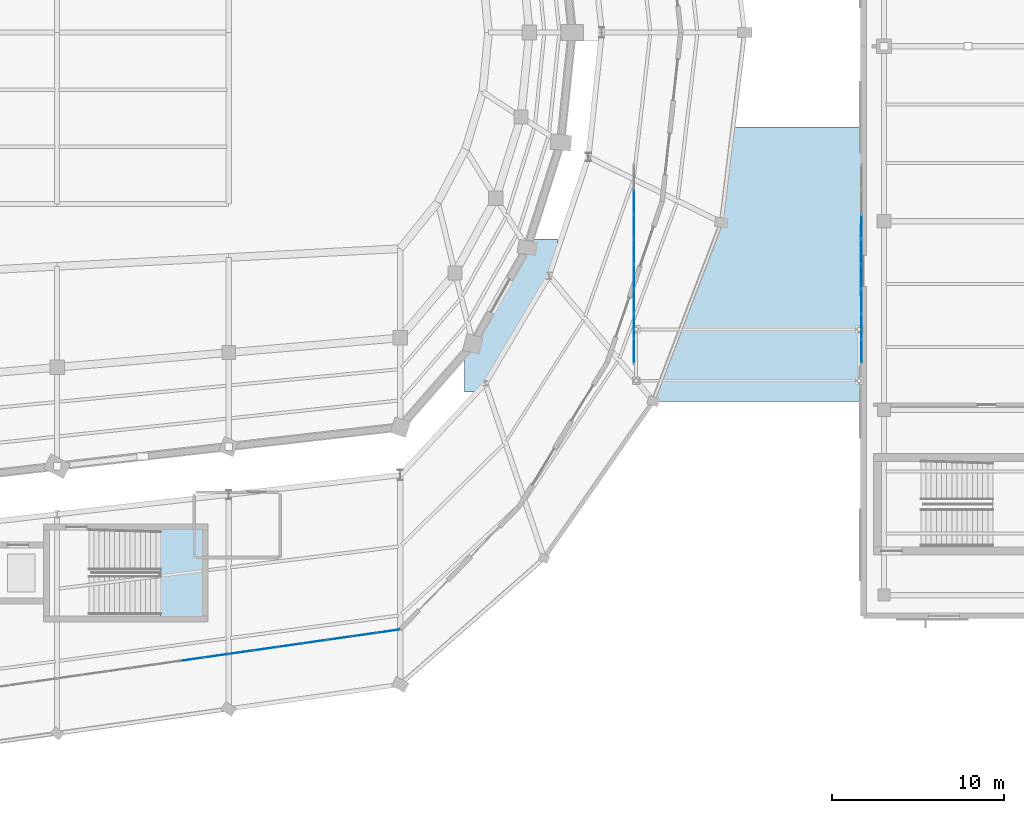
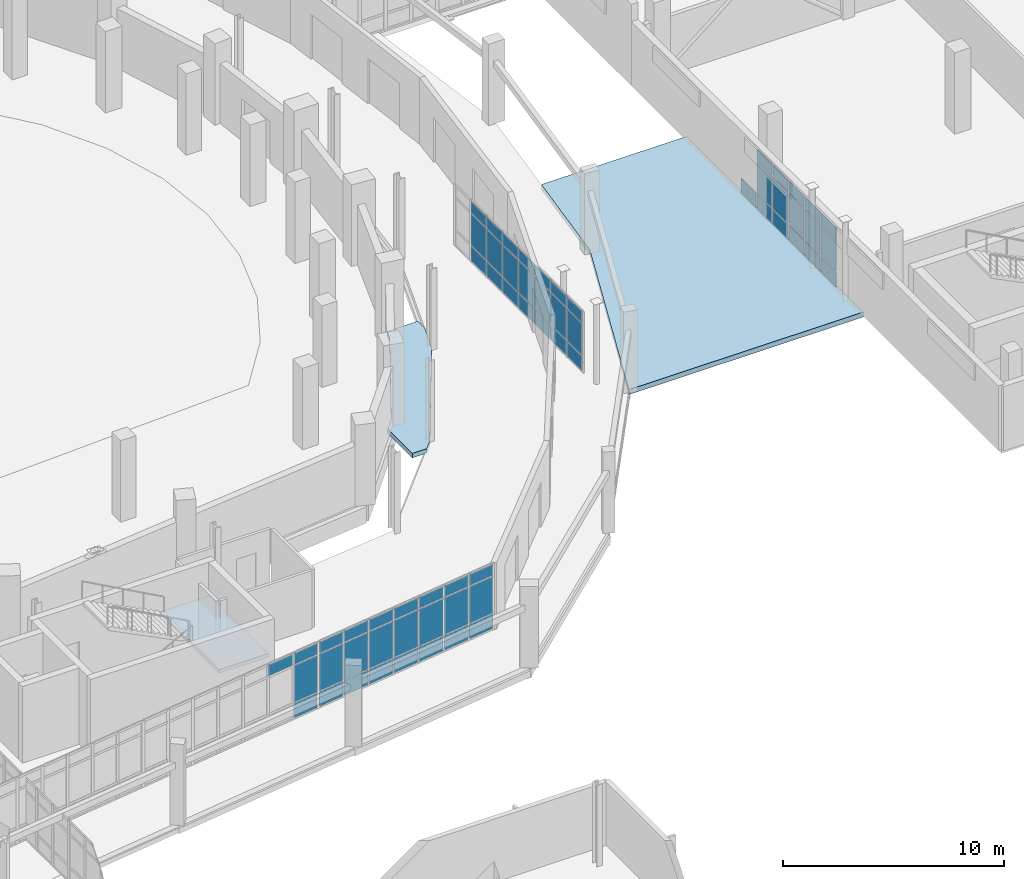
# One storey, part 91 of 122: 62 plates, 3 slabs, 5 elements without a shape of their own.
"""IFC4 building model written with IfcOpenShell, lengths in metres."""

import ifcopenshell
import ifcopenshell.guid

model = None  # the IFC model being written
_history = None  # IfcOwnerHistory: only IFC2X3 demands one
_inside = {}  # id of a spatial element -> (the spatial element, [elements in it])
_under = {}  # id of a project, library or spatial element -> (it, [spatial elements below it])
_declared = {}  # id of a project -> (the project, [libraries it declares])
_typed = {}  # id of a type object -> (the type object, [elements of that type])
_made_of = {}  # id of a material, layer set ... -> (it, [elements and type objects made of it])


def new_model(schema):
    """Start an empty IFC model of exactly this schema.

    Asked for "IFC4X3", IfcOpenShell would pick the latest addendum, in which some entities
    have other attributes; the version numbers below select the first issue.
    IFC2X3 requires an IfcOwnerHistory on every rooted entity: one is made here for all.
    """
    global model, _history
    if schema == "IFC4X3":
        model = ifcopenshell.file(schema_version=(4, 3, 0, 0))
    else:
        model = ifcopenshell.file(schema=schema)
    _inside.clear()
    _under.clear()
    _declared.clear()
    _typed.clear()
    _made_of.clear()
    _history = None
    if model.schema == "IFC2X3":
        org = make("IfcOrganization", Name="unknown")
        user = make(
            "IfcPersonAndOrganization",
            ThePerson=make("IfcPerson", FamilyName="unknown"),
            TheOrganization=org,
        )
        app = make(
            "IfcApplication",
            ApplicationDeveloper=org,
            Version="unknown",
            ApplicationFullName="unknown",
            ApplicationIdentifier="unknown",
        )
        _history = make(
            "IfcOwnerHistory",
            OwningUser=user,
            OwningApplication=app,
            ChangeAction="ADDED",
            CreationDate=0,
        )
    return model


def make(cls, **values):
    """One entity of the class cls with the attributes given. An attribute that is None is left unset."""
    return model.create_entity(
        cls, **{name: value for name, value in values.items() if value is not None}
    )


def rooted(cls, **values):
    """An entity with a GlobalId (a new one), such as an element, a storey or a relation."""
    return make(cls, GlobalId=ifcopenshell.guid.new(), OwnerHistory=_history, **values)


def si_unit(unit_type, name, prefix=None):
    """IfcSIUnit, for example si_unit("LENGTHUNIT", "METRE", prefix="MILLI")."""
    return make("IfcSIUnit", UnitType=unit_type, Prefix=prefix, Name=name)


def assignment(units):
    """IfcUnitAssignment: the units of a project."""
    return None if units is None else make("IfcUnitAssignment", Units=units)


def point(xyz):
    """IfcCartesianPoint."""
    return None if xyz is None else make("IfcCartesianPoint", Coordinates=xyz)


def direction(xyz):
    """IfcDirection."""
    return None if xyz is None else make("IfcDirection", DirectionRatios=xyz)


def frame(location, z_axis=None, x_axis=None):
    """IfcAxis2Placement3D, a coordinate frame: its origin and axes. An axis left out is left unset."""
    return make(
        "IfcAxis2Placement3D",
        Location=point(location),
        Axis=direction(z_axis),
        RefDirection=direction(x_axis),
    )


def frame_2d(location, x_axis=None):
    """IfcAxis2Placement2D, a coordinate frame in the plane: its origin and x axis."""
    return make(
        "IfcAxis2Placement2D", Location=point(location), RefDirection=direction(x_axis)
    )


def origin():
    """The frame at (0, 0, 0) with its axes left unset."""
    return frame((0.0, 0.0, 0.0))


def origin_2d():
    """The frame at (0, 0) in the plane with its x axis left unset."""
    return frame_2d((0.0, 0.0))


def place(relative_to, where):
    """IfcLocalPlacement: puts the frame where relative to a parent placement (None: the world)."""
    return make(
        "IfcLocalPlacement", PlacementRelTo=relative_to, RelativePlacement=where
    )


def context(
    kind, dimensions, precision=None, world=None, true_north=None, identifier=None
):
    """IfcGeometricRepresentationContext, for example the 3D "Model" context."""
    return make(
        "IfcGeometricRepresentationContext",
        ContextIdentifier=identifier,
        ContextType=kind,
        CoordinateSpaceDimension=dimensions,
        Precision=precision,
        WorldCoordinateSystem=world,
        TrueNorth=true_north,
    )


def subcontext(parent, identifier, kind, view, scale=None):
    """IfcGeometricRepresentationSubContext, for example "Body" below "Model"."""
    return make(
        "IfcGeometricRepresentationSubContext",
        ContextIdentifier=identifier,
        ContextType=kind,
        ParentContext=parent,
        TargetScale=scale,
        TargetView=view,
    )


def project(units=None, contexts=None):
    """IfcProject with its units and contexts."""
    return rooted(
        "IfcProject",
        Name="project",
        RepresentationContexts=contexts,
        UnitsInContext=assignment(units),
    )


def spatial(cls, under=None, at=None, **own):
    """A site, building, storey or space (cls), placed at a placement, below another one or the project."""
    s = rooted(cls, ObjectPlacement=at, **own)
    if under is not None:
        _under.setdefault(under.id(), (under, []))[1].append(s)
    return s


def polyline(points):
    """IfcPolyline through the points."""
    return make("IfcPolyline", Points=[point(p) for p in points])


def profile(cls, at=None, kind="AREA", **sizes):
    """A parametric profile (cls). Its sizes go by their IFC names, for example OverallWidth=200.0."""
    return make(cls, ProfileType=kind, Position=at, **sizes)


def rectangle(**sizes):
    """IfcRectangleProfileDef."""
    return profile("IfcRectangleProfileDef", **sizes)


def outline(outer, holes=None, kind="AREA"):
    """IfcArbitraryClosedProfileDef: a profile drawn as a closed curve; with holes, ...WithVoids."""
    if holes is None:
        return make("IfcArbitraryClosedProfileDef", ProfileType=kind, OuterCurve=outer)
    return make(
        "IfcArbitraryProfileDefWithVoids",
        ProfileType=kind,
        OuterCurve=outer,
        InnerCurves=holes,
    )


def extrude(swept, where, along, depth):
    """IfcExtrudedAreaSolid: the profile swept, set in the frame where, extruded along a direction by depth."""
    return make(
        "IfcExtrudedAreaSolid",
        SweptArea=swept,
        Position=where,
        ExtrudedDirection=direction(along),
        Depth=depth,
    )


def shape(context_of_items, identifier, shape_type, items):
    """IfcShapeRepresentation: the items that make up one representation, for example the "Body"."""
    return make(
        "IfcShapeRepresentation",
        ContextOfItems=context_of_items,
        RepresentationIdentifier=identifier,
        RepresentationType=shape_type,
        Items=items,
    )


def material(Name=None, Category=None):
    """IfcMaterial."""
    return make("IfcMaterial", Name=Name, Category=Category)


def layer(
    of_material, thickness, ventilated=None, Name=None, Category=None, Priority=None
):
    """IfcMaterialLayer: one layer of a wall or slab, of a material (None: an air gap)."""
    return make(
        "IfcMaterialLayer",
        Material=of_material,
        LayerThickness=thickness,
        IsVentilated=ventilated,
        Name=Name,
        Category=Category,
        Priority=Priority,
    )


def layer_set(layers, Name=None):
    """IfcMaterialLayerSet."""
    return make("IfcMaterialLayerSet", MaterialLayers=layers, LayerSetName=Name)


def made_of(thing, what):
    """Note that an element or type object is made of a material, layer set ...; save() writes the relation."""
    if what is not None:
        _made_of.setdefault(what.id(), (what, []))[1].append(thing)
    return thing


def type_object(cls, material=None, **own):
    """A type object (cls), such as IfcWallType, which elements share."""
    return made_of(rooted(cls, **own), material)


def element(
    cls,
    number,
    at=None,
    inside=None,
    cuts=None,
    type_object=None,
    material=None,
    context=None,
    identifier="Body",
    shape_type=None,
    held_by="IfcProductDefinitionShape",
    body=None,
    shapes=None,
    **own,
):
    """One element of the class cls, such as IfcWall. Its Tag is "e" and its number.

    at: its placement. inside: the storey or other place that contains it. cuts: it is an
    opening in that element (IfcRelVoidsElement). A single representation is given by context,
    identifier, shape_type and body (its items); several are given by shapes. held_by: the class
    of the entity that holds the representations. save() writes the other relations.
    """
    e = rooted(cls, Tag="e%d" % number, ObjectPlacement=at, **own)
    if body is not None:
        shapes = [shape(context, identifier, shape_type, body)]
    if shapes is not None:
        e.Representation = make(held_by, Representations=shapes)
    if inside is not None:
        _inside.setdefault(inside.id(), (inside, []))[1].append(e)
    if cuts is not None:
        rooted(
            "IfcRelVoidsElement", RelatingBuildingElement=cuts, RelatedOpeningElement=e
        )
    if type_object is not None:
        _typed.setdefault(type_object.id(), (type_object, []))[1].append(e)
    return made_of(e, material)


def aggregate(whole, parts):
    """IfcRelAggregates: a whole, such as a stair, and the parts it consists of."""
    return rooted("IfcRelAggregates", RelatingObject=whole, RelatedObjects=parts)


def save(model, path):
    """Write the relations noted so far, then the file.

    IfcRelAggregates (storeys below a building ...), IfcRelContainedInSpatialStructure (elements
    in a storey), IfcRelDefinesByType, IfcRelAssociatesMaterial and IfcRelDeclares: one each for
    every whole, place, type object, material and project.
    """
    for whole, parts in _under.values():
        aggregate(whole, parts)
    for where, things in _inside.values():
        rooted(
            "IfcRelContainedInSpatialStructure",
            RelatedElements=things,
            RelatingStructure=where,
        )
    for kind, things in _typed.values():
        rooted("IfcRelDefinesByType", RelatedObjects=things, RelatingType=kind)
    for what, things in _made_of.values():
        rooted("IfcRelAssociatesMaterial", RelatedObjects=things, RelatingMaterial=what)
    for by, libraries in _declared.values():
        rooted("IfcRelDeclares", RelatingContext=by, RelatedDefinitions=libraries)
    model.write(path)


model = new_model("IFC4")

# Units and contexts
model_context = context("Model", 3, precision=1e-05, world=origin(), true_north=direction((0.0, 1.0)))
body_context = subcontext(model_context, "Body", "Model", "MODEL_VIEW")
ifc_project = project(units=[si_unit("LENGTHUNIT", "METRE"), si_unit("AREAUNIT", "SQUARE_METRE"), si_unit("VOLUMEUNIT", "CUBIC_METRE"), si_unit("PLANEANGLEUNIT", "RADIAN"), si_unit("MASSUNIT", "GRAM", prefix="KILO")], contexts=[model_context])

# Site, building, storey
site_placement = place(None, origin())
site = spatial("IfcSite", under=ifc_project, at=site_placement, CompositionType="ELEMENT")
building_placement = place(site_placement, origin())
building = spatial("IfcBuilding", under=site, at=building_placement, Name="Sohan Crest Arena", CompositionType="ELEMENT")
storey_placement = place(building_placement, origin())
storey = spatial("IfcBuildingStorey", under=building, at=storey_placement, Name="L00", CompositionType="ELEMENT", Elevation=0.0)

# Curtain wall, plates
ifc_material_1 = material(Name="Thermally broken anodised aluminium", Category="aluminium")
ifc_layer_1 = layer(ifc_material_1, 0.179931640625, Name="Thermally broken anodised aluminium")
ifc_layer_set_1 = layer_set([ifc_layer_1], Name="Thermally broken anodised aluminium")
curtain_wall_type_1 = type_object("IfcCurtainWallType", Name="ARC-CW01", PredefinedType="NOTDEFINED", material=ifc_layer_set_1)
curtain_wall_1_placement = place(storey_placement, origin())
curtain_wall_1 = element("IfcCurtainWall", 1, at=curtain_wall_1_placement, inside=storey, type_object=curtain_wall_type_1, Name="Unitised curtain wall CW-012", PredefinedType="NOTDEFINED")
ifc_material_2 = material(Name="Low-E double-glazed insulated glass", Category="glass")
ifc_layer_2 = layer(ifc_material_2, 0.028076171875, Name="Low-E double-glazed insulated glass")
ifc_layer_set_2 = layer_set([ifc_layer_2], Name="Low-E double-glazed insulated glass")
plate_type = type_object("IfcPlateType", Name="ARC-CNP01", PredefinedType="CURTAIN_PANEL", material=ifc_layer_set_2)
plate_1_placement = place(storey_placement, frame((155.857177734375, 41.465087890625, 3.009765625), z_axis=(0.0, 0.0, 1.0), x_axis=(0.989957411768, 0.141365918403, 0.0)))
plate_1 = element("IfcPlate", 2, at=plate_1_placement, type_object=plate_type, Name="CW-012 panel 6.3", PredefinedType="CURTAIN_PANEL", context=body_context, shape_type="SweptSolid", body=[
    extrude(rectangle(XDim=1.383056640625, YDim=0.028076171875, at=origin_2d()), origin(), (0.0, 0.0, 1.0), 0.610107421875),
])
plate_2_placement = place(storey_placement, frame((157.270751953125, 41.6669921875, 0.06005859375), z_axis=(0.0, 0.0, 1.0), x_axis=(0.989957411768, 0.141365918403, 0.0)))
plate_2 = element("IfcPlate", 3, at=plate_2_placement, type_object=plate_type, Name="CW-012 panel 7.1", PredefinedType="CURTAIN_PANEL", context=body_context, shape_type="SweptSolid", body=[
    extrude(rectangle(XDim=1.35302734375, YDim=0.028076171875, at=origin_2d()), origin(), (0.0, 0.0, 1.0), 0.81005859375),
])
plate_3_placement = place(storey_placement, frame((157.270751953125, 41.6669921875, 0.929931640625), z_axis=(0.0, 0.0, 1.0), x_axis=(0.989957411768, 0.141365918403, 0.0)))
plate_3 = element("IfcPlate", 4, at=plate_3_placement, type_object=plate_type, Name="CW-012 panel 7.2", PredefinedType="CURTAIN_PANEL", context=body_context, shape_type="SweptSolid", body=[
    extrude(rectangle(XDim=1.35302734375, YDim=0.028076171875, at=origin_2d()), origin(), (0.0, 0.0, 1.0), 2.02001953125),
])
plate_4_placement = place(storey_placement, frame((157.270751953125, 41.6669921875, 3.009765625), z_axis=(0.0, 0.0, 1.0), x_axis=(0.989957411768, 0.141365918403, 0.0)))
plate_4 = element("IfcPlate", 5, at=plate_4_placement, type_object=plate_type, Name="CW-012 panel 7.3", PredefinedType="CURTAIN_PANEL", context=body_context, shape_type="SweptSolid", body=[
    extrude(rectangle(XDim=1.35302734375, YDim=0.028076171875, at=origin_2d()), origin(), (0.0, 0.0, 1.0), 0.610107421875),
])
aggregate(curtain_wall_1, [plate_1, plate_2, plate_3, plate_4])

curtain_wall_2_placement = place(storey_placement, origin())
curtain_wall_2 = element("IfcCurtainWall", 6, at=curtain_wall_2_placement, inside=storey, type_object=curtain_wall_type_1, Name="Unitised curtain wall CW-013", PredefinedType="NOTDEFINED")
plate_5_placement = place(storey_placement, frame((158.729248046875, 41.875244140625, 0.06005859375), z_axis=(0.0, 0.0, 1.0), x_axis=(0.989943553128, 0.141462933734, 0.0)))
plate_5 = element("IfcPlate", 7, at=plate_5_placement, type_object=plate_type, Name="CW-013 panel 1.1", PredefinedType="CURTAIN_PANEL", context=body_context, shape_type="SweptSolid", body=[
    extrude(rectangle(XDim=1.35302734375, YDim=0.028076171875, at=origin_2d()), origin(), (0.0, 0.0, 1.0), 0.81005859375),
])
plate_6_placement = place(storey_placement, frame((158.729248046875, 41.875244140625, 0.929931640625), z_axis=(0.0, 0.0, 1.0), x_axis=(0.989943553128, 0.141462933734, 0.0)))
plate_6 = element("IfcPlate", 8, at=plate_6_placement, type_object=plate_type, Name="CW-013 panel 1.2", PredefinedType="CURTAIN_PANEL", context=body_context, shape_type="SweptSolid", body=[
    extrude(rectangle(XDim=1.35302734375, YDim=0.028076171875, at=origin_2d()), origin(), (0.0, 0.0, 1.0), 2.02001953125),
])
plate_7_placement = place(storey_placement, frame((158.729248046875, 41.875244140625, 3.009765625), z_axis=(0.0, 0.0, 1.0), x_axis=(0.989943553128, 0.141462933734, 0.0)))
plate_7 = element("IfcPlate", 9, at=plate_7_placement, type_object=plate_type, Name="CW-013 panel 1.3", PredefinedType="CURTAIN_PANEL", context=body_context, shape_type="SweptSolid", body=[
    extrude(rectangle(XDim=1.35302734375, YDim=0.028076171875, at=origin_2d()), origin(), (0.0, 0.0, 1.0), 0.610107421875),
])
plate_8_placement = place(storey_placement, frame((160.142822265625, 42.0771484375, 0.06005859375), z_axis=(0.0, 0.0, 1.0), x_axis=(0.989943553128, 0.141462933734, 0.0)))
plate_8 = element("IfcPlate", 10, at=plate_8_placement, type_object=plate_type, Name="CW-013 panel 2.1", PredefinedType="CURTAIN_PANEL", context=body_context, shape_type="SweptSolid", body=[
    extrude(rectangle(XDim=1.383056640625, YDim=0.028076171875, at=origin_2d()), origin(), (0.0, 0.0, 1.0), 0.81005859375),
])
plate_9_placement = place(storey_placement, frame((160.142822265625, 42.0771484375, 0.929931640625), z_axis=(0.0, 0.0, 1.0), x_axis=(0.989943553128, 0.141462933734, 0.0)))
plate_9 = element("IfcPlate", 11, at=plate_9_placement, type_object=plate_type, Name="CW-013 panel 2.2", PredefinedType="CURTAIN_PANEL", context=body_context, shape_type="SweptSolid", body=[
    extrude(rectangle(XDim=1.383056640625, YDim=0.028076171875, at=origin_2d()), origin(), (0.0, 0.0, 1.0), 2.02001953125),
])
plate_10_placement = place(storey_placement, frame((160.142822265625, 42.0771484375, 3.009765625), z_axis=(0.0, 0.0, 1.0), x_axis=(0.989943553128, 0.141462933734, 0.0)))
plate_10 = element("IfcPlate", 12, at=plate_10_placement, type_object=plate_type, Name="CW-013 panel 2.3", PredefinedType="CURTAIN_PANEL", context=body_context, shape_type="SweptSolid", body=[
    extrude(rectangle(XDim=1.383056640625, YDim=0.028076171875, at=origin_2d()), origin(), (0.0, 0.0, 1.0), 0.610107421875),
])
plate_11_placement = place(storey_placement, frame((161.571533203125, 42.28125, 0.06005859375), z_axis=(0.0, 0.0, 1.0), x_axis=(0.989943553128, 0.141462933734, 0.0)))
plate_11 = element("IfcPlate", 13, at=plate_11_placement, type_object=plate_type, Name="CW-013 panel 3.1", PredefinedType="CURTAIN_PANEL", context=body_context, shape_type="SweptSolid", body=[
    extrude(rectangle(XDim=1.383056640625, YDim=0.028076171875, at=origin_2d()), origin(), (0.0, 0.0, 1.0), 0.81005859375),
])
plate_12_placement = place(storey_placement, frame((161.571533203125, 42.28125, 0.929931640625), z_axis=(0.0, 0.0, 1.0), x_axis=(0.989943553128, 0.141462933734, 0.0)))
plate_12 = element("IfcPlate", 14, at=plate_12_placement, type_object=plate_type, Name="CW-013 panel 3.2", PredefinedType="CURTAIN_PANEL", context=body_context, shape_type="SweptSolid", body=[
    extrude(rectangle(XDim=1.383056640625, YDim=0.028076171875, at=origin_2d()), origin(), (0.0, 0.0, 1.0), 2.02001953125),
])
plate_13_placement = place(storey_placement, frame((161.571533203125, 42.28125, 3.009765625), z_axis=(0.0, 0.0, 1.0), x_axis=(0.989943553128, 0.141462933734, 0.0)))
plate_13 = element("IfcPlate", 15, at=plate_13_placement, type_object=plate_type, Name="CW-013 panel 3.3", PredefinedType="CURTAIN_PANEL", context=body_context, shape_type="SweptSolid", body=[
    extrude(rectangle(XDim=1.383056640625, YDim=0.028076171875, at=origin_2d()), origin(), (0.0, 0.0, 1.0), 0.610107421875),
])
plate_14_placement = place(storey_placement, frame((163.0, 42.485595703125, 0.06005859375), z_axis=(0.0, 0.0, 1.0), x_axis=(0.989943553128, 0.141462933734, 0.0)))
plate_14 = element("IfcPlate", 16, at=plate_14_placement, type_object=plate_type, Name="CW-013 panel 4.1", PredefinedType="CURTAIN_PANEL", context=body_context, shape_type="SweptSolid", body=[
    extrude(rectangle(XDim=1.383056640625, YDim=0.028076171875, at=origin_2d()), origin(), (0.0, 0.0, 1.0), 0.81005859375),
])
plate_15_placement = place(storey_placement, frame((163.0, 42.485595703125, 0.929931640625), z_axis=(0.0, 0.0, 1.0), x_axis=(0.989943553128, 0.141462933734, 0.0)))
plate_15 = element("IfcPlate", 17, at=plate_15_placement, type_object=plate_type, Name="CW-013 panel 4.2", PredefinedType="CURTAIN_PANEL", context=body_context, shape_type="SweptSolid", body=[
    extrude(rectangle(XDim=1.383056640625, YDim=0.028076171875, at=origin_2d()), origin(), (0.0, 0.0, 1.0), 2.02001953125),
])
plate_16_placement = place(storey_placement, frame((163.0, 42.485595703125, 3.009765625), z_axis=(0.0, 0.0, 1.0), x_axis=(0.989943553128, 0.141462933734, 0.0)))
plate_16 = element("IfcPlate", 18, at=plate_16_placement, type_object=plate_type, Name="CW-013 panel 4.3", PredefinedType="CURTAIN_PANEL", context=body_context, shape_type="SweptSolid", body=[
    extrude(rectangle(XDim=1.383056640625, YDim=0.028076171875, at=origin_2d()), origin(), (0.0, 0.0, 1.0), 0.610107421875),
])
plate_17_placement = place(storey_placement, frame((164.428466796875, 42.689697265625, 0.06005859375), z_axis=(0.0, 0.0, 1.0), x_axis=(0.989943553128, 0.141462933734, 0.0)))
plate_17 = element("IfcPlate", 19, at=plate_17_placement, type_object=plate_type, Name="CW-013 panel 5.1", PredefinedType="CURTAIN_PANEL", context=body_context, shape_type="SweptSolid", body=[
    extrude(rectangle(XDim=1.383056640625, YDim=0.028076171875, at=origin_2d()), origin(), (0.0, 0.0, 1.0), 0.81005859375),
])
plate_18_placement = place(storey_placement, frame((164.428466796875, 42.689697265625, 0.929931640625), z_axis=(0.0, 0.0, 1.0), x_axis=(0.989943553128, 0.141462933734, 0.0)))
plate_18 = element("IfcPlate", 20, at=plate_18_placement, type_object=plate_type, Name="CW-013 panel 5.2", PredefinedType="CURTAIN_PANEL", context=body_context, shape_type="SweptSolid", body=[
    extrude(rectangle(XDim=1.383056640625, YDim=0.028076171875, at=origin_2d()), origin(), (0.0, 0.0, 1.0), 2.02001953125),
])
plate_19_placement = place(storey_placement, frame((164.428466796875, 42.689697265625, 3.009765625), z_axis=(0.0, 0.0, 1.0), x_axis=(0.989943553128, 0.141462933734, 0.0)))
plate_19 = element("IfcPlate", 21, at=plate_19_placement, type_object=plate_type, Name="CW-013 panel 5.3", PredefinedType="CURTAIN_PANEL", context=body_context, shape_type="SweptSolid", body=[
    extrude(rectangle(XDim=1.383056640625, YDim=0.028076171875, at=origin_2d()), origin(), (0.0, 0.0, 1.0), 0.610107421875),
])
plate_20_placement = place(storey_placement, frame((165.857177734375, 42.893798828125, 0.06005859375), z_axis=(0.0, 0.0, 1.0), x_axis=(0.989943553128, 0.141462933734, 0.0)))
plate_20 = element("IfcPlate", 22, at=plate_20_placement, type_object=plate_type, Name="CW-013 panel 6.1", PredefinedType="CURTAIN_PANEL", context=body_context, shape_type="SweptSolid", body=[
    extrude(rectangle(XDim=1.383056640625, YDim=0.028076171875, at=origin_2d()), origin(), (0.0, 0.0, 1.0), 0.81005859375),
])
plate_21_placement = place(storey_placement, frame((165.857177734375, 42.893798828125, 0.929931640625), z_axis=(0.0, 0.0, 1.0), x_axis=(0.989943553128, 0.141462933734, 0.0)))
plate_21 = element("IfcPlate", 23, at=plate_21_placement, type_object=plate_type, Name="CW-013 panel 6.2", PredefinedType="CURTAIN_PANEL", context=body_context, shape_type="SweptSolid", body=[
    extrude(rectangle(XDim=1.383056640625, YDim=0.028076171875, at=origin_2d()), origin(), (0.0, 0.0, 1.0), 2.02001953125),
])
plate_22_placement = place(storey_placement, frame((165.857177734375, 42.893798828125, 3.009765625), z_axis=(0.0, 0.0, 1.0), x_axis=(0.989943553128, 0.141462933734, 0.0)))
plate_22 = element("IfcPlate", 24, at=plate_22_placement, type_object=plate_type, Name="CW-013 panel 6.3", PredefinedType="CURTAIN_PANEL", context=body_context, shape_type="SweptSolid", body=[
    extrude(rectangle(XDim=1.383056640625, YDim=0.028076171875, at=origin_2d()), origin(), (0.0, 0.0, 1.0), 0.610107421875),
])
plate_23_placement = place(storey_placement, frame((167.270751953125, 43.095703125, 0.06005859375), z_axis=(0.0, 0.0, 1.0), x_axis=(0.989943553128, 0.141462933734, 0.0)))
plate_23 = element("IfcPlate", 25, at=plate_23_placement, type_object=plate_type, Name="CW-013 panel 7.1", PredefinedType="CURTAIN_PANEL", context=body_context, shape_type="SweptSolid", body=[
    extrude(rectangle(XDim=1.35302734375, YDim=0.028076171875, at=origin_2d()), origin(), (0.0, 0.0, 1.0), 0.81005859375),
])
plate_24_placement = place(storey_placement, frame((167.270751953125, 43.095703125, 0.929931640625), z_axis=(0.0, 0.0, 1.0), x_axis=(0.989943553128, 0.141462933734, 0.0)))
plate_24 = element("IfcPlate", 26, at=plate_24_placement, type_object=plate_type, Name="CW-013 panel 7.2", PredefinedType="CURTAIN_PANEL", context=body_context, shape_type="SweptSolid", body=[
    extrude(rectangle(XDim=1.35302734375, YDim=0.028076171875, at=origin_2d()), origin(), (0.0, 0.0, 1.0), 2.02001953125),
])
plate_25_placement = place(storey_placement, frame((167.270751953125, 43.095703125, 3.009765625), z_axis=(0.0, 0.0, 1.0), x_axis=(0.989943553128, 0.141462933734, 0.0)))
plate_25 = element("IfcPlate", 27, at=plate_25_placement, type_object=plate_type, Name="CW-013 panel 7.3", PredefinedType="CURTAIN_PANEL", context=body_context, shape_type="SweptSolid", body=[
    extrude(rectangle(XDim=1.35302734375, YDim=0.028076171875, at=origin_2d()), origin(), (0.0, 0.0, 1.0), 0.610107421875),
])
aggregate(curtain_wall_2, [plate_5, plate_6, plate_7, plate_8, plate_9, plate_10, plate_11, plate_12, plate_13, plate_14, plate_15, plate_16, plate_17, plate_18, plate_19, plate_20, plate_21, plate_22, plate_23, plate_24, plate_25])

ifc_layer_3 = layer(ifc_material_1, 0.18994140625, Name="Thermally broken anodised aluminium")
ifc_layer_set_3 = layer_set([ifc_layer_3], Name="Thermally broken anodised aluminium")
curtain_wall_type_2 = type_object("IfcCurtainWallType", Name="ARC-CW05", PredefinedType="NOTDEFINED", material=ifc_layer_set_3)
curtain_wall_3_placement = place(storey_placement, origin())
curtain_wall_3 = element("IfcCurtainWall", 28, at=curtain_wall_3_placement, inside=storey, type_object=curtain_wall_type_2, Name="Unitised curtain wall CW-239", PredefinedType="NOTDEFINED")
plate_26_placement = place(storey_placement, frame((181.6201171875, 59.441162109375, 0.06005859375), z_axis=(0.0, 0.0, 1.0), x_axis=(0.0, 1.0, 0.0)))
plate_26 = element("IfcPlate", 29, at=plate_26_placement, type_object=plate_type, Name="CW-239 panel 1.1", PredefinedType="CURTAIN_PANEL", context=body_context, shape_type="SweptSolid", body=[
    extrude(rectangle(XDim=1.3525390625, YDim=0.028076171875, at=origin_2d()), origin(), (0.0, 0.0, 1.0), 0.81005859375),
])
plate_27_placement = place(storey_placement, frame((181.6201171875, 59.441162109375, 0.93017578125), z_axis=(0.0, 0.0, 1.0), x_axis=(0.0, 1.0, 0.0)))
plate_27 = element("IfcPlate", 30, at=plate_27_placement, type_object=plate_type, Name="CW-239 panel 1.2", PredefinedType="CURTAIN_PANEL", context=body_context, shape_type="SweptSolid", body=[
    extrude(rectangle(XDim=1.3525390625, YDim=0.028076171875, at=origin_2d()), origin(), (0.0, 0.0, 1.0), 1.739990234375),
])
plate_28_placement = place(storey_placement, frame((181.6201171875, 59.441162109375, 2.72998046875), z_axis=(0.0, 0.0, 1.0), x_axis=(0.0, 1.0, 0.0)))
plate_28 = element("IfcPlate", 31, at=plate_28_placement, type_object=plate_type, Name="CW-239 panel 1.3", PredefinedType="CURTAIN_PANEL", context=body_context, shape_type="SweptSolid", body=[
    extrude(rectangle(XDim=1.3525390625, YDim=0.028076171875, at=origin_2d()), origin(), (0.0, 0.0, 1.0), 0.610107421875),
])
plate_29_placement = place(storey_placement, frame((181.6201171875, 60.875, 0.06005859375), z_axis=(0.0, 0.0, 1.0), x_axis=(0.0, 1.0, 0.0)))
plate_29 = element("IfcPlate", 32, at=plate_29_placement, type_object=plate_type, Name="CW-239 panel 2.1", PredefinedType="CURTAIN_PANEL", context=body_context, shape_type="SweptSolid", body=[
    extrude(rectangle(XDim=1.385009765625, YDim=0.028076171875, at=origin_2d()), origin(), (0.0, 0.0, 1.0), 0.81005859375),
])
plate_30_placement = place(storey_placement, frame((181.6201171875, 60.875, 0.93017578125), z_axis=(0.0, 0.0, 1.0), x_axis=(0.0, 1.0, 0.0)))
plate_30 = element("IfcPlate", 33, at=plate_30_placement, type_object=plate_type, Name="CW-239 panel 2.2", PredefinedType="CURTAIN_PANEL", context=body_context, shape_type="SweptSolid", body=[
    extrude(rectangle(XDim=1.385009765625, YDim=0.028076171875, at=origin_2d()), origin(), (0.0, 0.0, 1.0), 1.739990234375),
])
plate_31_placement = place(storey_placement, frame((181.6201171875, 60.875, 2.72998046875), z_axis=(0.0, 0.0, 1.0), x_axis=(0.0, 1.0, 0.0)))
plate_31 = element("IfcPlate", 34, at=plate_31_placement, type_object=plate_type, Name="CW-239 panel 2.3", PredefinedType="CURTAIN_PANEL", context=body_context, shape_type="SweptSolid", body=[
    extrude(rectangle(XDim=1.385009765625, YDim=0.028076171875, at=origin_2d()), origin(), (0.0, 0.0, 1.0), 0.610107421875),
])
plate_32_placement = place(storey_placement, frame((181.6201171875, 62.324951171875, 0.06005859375), z_axis=(0.0, 0.0, 1.0), x_axis=(0.0, 1.0, 0.0)))
plate_32 = element("IfcPlate", 35, at=plate_32_placement, type_object=plate_type, Name="CW-239 panel 3.1", PredefinedType="CURTAIN_PANEL", context=body_context, shape_type="SweptSolid", body=[
    extrude(rectangle(XDim=1.385009765625, YDim=0.028076171875, at=origin_2d()), origin(), (0.0, 0.0, 1.0), 0.81005859375),
])
plate_33_placement = place(storey_placement, frame((181.6201171875, 62.324951171875, 0.93017578125), z_axis=(0.0, 0.0, 1.0), x_axis=(0.0, 1.0, 0.0)))
plate_33 = element("IfcPlate", 36, at=plate_33_placement, type_object=plate_type, Name="CW-239 panel 3.2", PredefinedType="CURTAIN_PANEL", context=body_context, shape_type="SweptSolid", body=[
    extrude(rectangle(XDim=1.385009765625, YDim=0.028076171875, at=origin_2d()), origin(), (0.0, 0.0, 1.0), 1.739990234375),
])
plate_34_placement = place(storey_placement, frame((181.6201171875, 62.324951171875, 2.72998046875), z_axis=(0.0, 0.0, 1.0), x_axis=(0.0, 1.0, 0.0)))
plate_34 = element("IfcPlate", 37, at=plate_34_placement, type_object=plate_type, Name="CW-239 panel 3.3", PredefinedType="CURTAIN_PANEL", context=body_context, shape_type="SweptSolid", body=[
    extrude(rectangle(XDim=1.385009765625, YDim=0.028076171875, at=origin_2d()), origin(), (0.0, 0.0, 1.0), 0.610107421875),
])
plate_35_placement = place(storey_placement, frame((181.6201171875, 63.77490234375, 0.06005859375), z_axis=(0.0, 0.0, 1.0), x_axis=(0.0, 1.0, 0.0)))
plate_35 = element("IfcPlate", 38, at=plate_35_placement, type_object=plate_type, Name="CW-239 panel 4.1", PredefinedType="CURTAIN_PANEL", context=body_context, shape_type="SweptSolid", body=[
    extrude(rectangle(XDim=1.385009765625, YDim=0.028076171875, at=origin_2d()), origin(), (0.0, 0.0, 1.0), 0.81005859375),
])
plate_36_placement = place(storey_placement, frame((181.6201171875, 63.77490234375, 0.93017578125), z_axis=(0.0, 0.0, 1.0), x_axis=(0.0, 1.0, 0.0)))
plate_36 = element("IfcPlate", 39, at=plate_36_placement, type_object=plate_type, Name="CW-239 panel 4.2", PredefinedType="CURTAIN_PANEL", context=body_context, shape_type="SweptSolid", body=[
    extrude(rectangle(XDim=1.385009765625, YDim=0.028076171875, at=origin_2d()), origin(), (0.0, 0.0, 1.0), 1.739990234375),
])
plate_37_placement = place(storey_placement, frame((181.6201171875, 63.77490234375, 2.72998046875), z_axis=(0.0, 0.0, 1.0), x_axis=(0.0, 1.0, 0.0)))
plate_37 = element("IfcPlate", 40, at=plate_37_placement, type_object=plate_type, Name="CW-239 panel 4.3", PredefinedType="CURTAIN_PANEL", context=body_context, shape_type="SweptSolid", body=[
    extrude(rectangle(XDim=1.385009765625, YDim=0.028076171875, at=origin_2d()), origin(), (0.0, 0.0, 1.0), 0.610107421875),
])
plate_38_placement = place(storey_placement, frame((181.6201171875, 65.22509765625, 0.06005859375), z_axis=(0.0, 0.0, 1.0), x_axis=(0.0, 1.0, 0.0)))
plate_38 = element("IfcPlate", 41, at=plate_38_placement, type_object=plate_type, Name="CW-239 panel 5.1", PredefinedType="CURTAIN_PANEL", context=body_context, shape_type="SweptSolid", body=[
    extrude(rectangle(XDim=1.385009765625, YDim=0.028076171875, at=origin_2d()), origin(), (0.0, 0.0, 1.0), 0.81005859375),
])
plate_39_placement = place(storey_placement, frame((181.6201171875, 65.22509765625, 0.93017578125), z_axis=(0.0, 0.0, 1.0), x_axis=(0.0, 1.0, 0.0)))
plate_39 = element("IfcPlate", 42, at=plate_39_placement, type_object=plate_type, Name="CW-239 panel 5.2", PredefinedType="CURTAIN_PANEL", context=body_context, shape_type="SweptSolid", body=[
    extrude(rectangle(XDim=1.385009765625, YDim=0.028076171875, at=origin_2d()), origin(), (0.0, 0.0, 1.0), 1.739990234375),
])
plate_40_placement = place(storey_placement, frame((181.6201171875, 65.22509765625, 2.72998046875), z_axis=(0.0, 0.0, 1.0), x_axis=(0.0, 1.0, 0.0)))
plate_40 = element("IfcPlate", 43, at=plate_40_placement, type_object=plate_type, Name="CW-239 panel 5.3", PredefinedType="CURTAIN_PANEL", context=body_context, shape_type="SweptSolid", body=[
    extrude(rectangle(XDim=1.385009765625, YDim=0.028076171875, at=origin_2d()), origin(), (0.0, 0.0, 1.0), 0.610107421875),
])
plate_41_placement = place(storey_placement, frame((181.6201171875, 66.675048828125, 0.06005859375), z_axis=(0.0, 0.0, 1.0), x_axis=(0.0, 1.0, 0.0)))
plate_41 = element("IfcPlate", 44, at=plate_41_placement, type_object=plate_type, Name="CW-239 panel 6.1", PredefinedType="CURTAIN_PANEL", context=body_context, shape_type="SweptSolid", body=[
    extrude(rectangle(XDim=1.385009765625, YDim=0.028076171875, at=origin_2d()), origin(), (0.0, 0.0, 1.0), 0.81005859375),
])
plate_42_placement = place(storey_placement, frame((181.6201171875, 66.675048828125, 0.93017578125), z_axis=(0.0, 0.0, 1.0), x_axis=(0.0, 1.0, 0.0)))
plate_42 = element("IfcPlate", 45, at=plate_42_placement, type_object=plate_type, Name="CW-239 panel 6.2", PredefinedType="CURTAIN_PANEL", context=body_context, shape_type="SweptSolid", body=[
    extrude(rectangle(XDim=1.385009765625, YDim=0.028076171875, at=origin_2d()), origin(), (0.0, 0.0, 1.0), 1.739990234375),
])
plate_43_placement = place(storey_placement, frame((181.6201171875, 66.675048828125, 2.72998046875), z_axis=(0.0, 0.0, 1.0), x_axis=(0.0, 1.0, 0.0)))
plate_43 = element("IfcPlate", 46, at=plate_43_placement, type_object=plate_type, Name="CW-239 panel 6.3", PredefinedType="CURTAIN_PANEL", context=body_context, shape_type="SweptSolid", body=[
    extrude(rectangle(XDim=1.385009765625, YDim=0.028076171875, at=origin_2d()), origin(), (0.0, 0.0, 1.0), 0.610107421875),
])
plate_44_placement = place(storey_placement, frame((181.6201171875, 68.125, 0.06005859375), z_axis=(0.0, 0.0, 1.0), x_axis=(0.0, 1.0, 0.0)))
plate_44 = element("IfcPlate", 47, at=plate_44_placement, type_object=plate_type, Name="CW-239 panel 7.1", PredefinedType="CURTAIN_PANEL", context=body_context, shape_type="SweptSolid", body=[
    extrude(rectangle(XDim=1.385009765625, YDim=0.028076171875, at=origin_2d()), origin(), (0.0, 0.0, 1.0), 0.81005859375),
])
plate_45_placement = place(storey_placement, frame((181.6201171875, 68.125, 0.93017578125), z_axis=(0.0, 0.0, 1.0), x_axis=(0.0, 1.0, 0.0)))
plate_45 = element("IfcPlate", 48, at=plate_45_placement, type_object=plate_type, Name="CW-239 panel 7.2", PredefinedType="CURTAIN_PANEL", context=body_context, shape_type="SweptSolid", body=[
    extrude(rectangle(XDim=1.385009765625, YDim=0.028076171875, at=origin_2d()), origin(), (0.0, 0.0, 1.0), 1.739990234375),
])
plate_46_placement = place(storey_placement, frame((181.6201171875, 68.125, 2.72998046875), z_axis=(0.0, 0.0, 1.0), x_axis=(0.0, 1.0, 0.0)))
plate_46 = element("IfcPlate", 49, at=plate_46_placement, type_object=plate_type, Name="CW-239 panel 7.3", PredefinedType="CURTAIN_PANEL", context=body_context, shape_type="SweptSolid", body=[
    extrude(rectangle(XDim=1.385009765625, YDim=0.028076171875, at=origin_2d()), origin(), (0.0, 0.0, 1.0), 0.610107421875),
])
aggregate(curtain_wall_3, [plate_26, plate_27, plate_28, plate_29, plate_30, plate_31, plate_32, plate_33, plate_34, plate_35, plate_36, plate_37, plate_38, plate_39, plate_40, plate_41, plate_42, plate_43, plate_44, plate_45, plate_46])

curtain_wall_4_placement = place(storey_placement, origin())
curtain_wall_4 = element("IfcCurtainWall", 50, at=curtain_wall_4_placement, inside=storey, type_object=curtain_wall_type_2, Name="Unitised curtain wall CW-240", PredefinedType="NOTDEFINED")
plate_47_placement = place(storey_placement, frame((194.8798828125, 59.441162109375, 0.06005859375), z_axis=(0.0, 0.0, 1.0), x_axis=(0.0, 1.0, 0.0)))
plate_47 = element("IfcPlate", 51, at=plate_47_placement, type_object=plate_type, Name="CW-240 panel 1.1", PredefinedType="CURTAIN_PANEL", context=body_context, shape_type="SweptSolid", body=[
    extrude(rectangle(XDim=1.3525390625, YDim=0.028076171875, at=origin_2d()), origin(), (0.0, 0.0, 1.0), 0.81005859375),
])
plate_48_placement = place(storey_placement, frame((194.8798828125, 59.441162109375, 0.93017578125), z_axis=(0.0, 0.0, 1.0), x_axis=(0.0, 1.0, 0.0)))
plate_48 = element("IfcPlate", 52, at=plate_48_placement, type_object=plate_type, Name="CW-240 panel 1.2", PredefinedType="CURTAIN_PANEL", context=body_context, shape_type="SweptSolid", body=[
    extrude(rectangle(XDim=1.3525390625, YDim=0.028076171875, at=origin_2d()), origin(), (0.0, 0.0, 1.0), 1.739990234375),
])
plate_49_placement = place(storey_placement, frame((194.8798828125, 59.441162109375, 2.72998046875), z_axis=(0.0, 0.0, 1.0), x_axis=(0.0, 1.0, 0.0)))
plate_49 = element("IfcPlate", 53, at=plate_49_placement, type_object=plate_type, Name="CW-240 panel 1.3", PredefinedType="CURTAIN_PANEL", context=body_context, shape_type="SweptSolid", body=[
    extrude(rectangle(XDim=1.3525390625, YDim=0.028076171875, at=origin_2d()), origin(), (0.0, 0.0, 1.0), 0.610107421875),
])
plate_50_placement = place(storey_placement, frame((194.8798828125, 60.875, 0.06005859375), z_axis=(0.0, 0.0, 1.0), x_axis=(0.0, 1.0, 0.0)))
plate_50 = element("IfcPlate", 54, at=plate_50_placement, type_object=plate_type, Name="CW-240 panel 2.1", PredefinedType="CURTAIN_PANEL", context=body_context, shape_type="SweptSolid", body=[
    extrude(rectangle(XDim=1.385009765625, YDim=0.028076171875, at=origin_2d()), origin(), (0.0, 0.0, 1.0), 0.81005859375),
])
plate_51_placement = place(storey_placement, frame((194.8798828125, 60.875, 0.93017578125), z_axis=(0.0, 0.0, 1.0), x_axis=(0.0, 1.0, 0.0)))
plate_51 = element("IfcPlate", 55, at=plate_51_placement, type_object=plate_type, Name="CW-240 panel 2.2", PredefinedType="CURTAIN_PANEL", context=body_context, shape_type="SweptSolid", body=[
    extrude(rectangle(XDim=1.385009765625, YDim=0.028076171875, at=origin_2d()), origin(), (0.0, 0.0, 1.0), 1.739990234375),
])
plate_52_placement = place(storey_placement, frame((194.8798828125, 60.875, 2.72998046875), z_axis=(0.0, 0.0, 1.0), x_axis=(0.0, 1.0, 0.0)))
plate_52 = element("IfcPlate", 56, at=plate_52_placement, type_object=plate_type, Name="CW-240 panel 2.3", PredefinedType="CURTAIN_PANEL", context=body_context, shape_type="SweptSolid", body=[
    extrude(rectangle(XDim=1.385009765625, YDim=0.028076171875, at=origin_2d()), origin(), (0.0, 0.0, 1.0), 0.610107421875),
])
plate_53_placement = place(storey_placement, frame((194.8798828125, 62.324951171875, 0.06005859375), z_axis=(0.0, 0.0, 1.0), x_axis=(0.0, 1.0, 0.0)))
plate_53 = element("IfcPlate", 57, at=plate_53_placement, type_object=plate_type, Name="CW-240 panel 3.1", PredefinedType="CURTAIN_PANEL", context=body_context, shape_type="SweptSolid", body=[
    extrude(rectangle(XDim=1.385009765625, YDim=0.028076171875, at=origin_2d()), origin(), (0.0, 0.0, 1.0), 0.81005859375),
])
plate_54_placement = place(storey_placement, frame((194.8798828125, 62.324951171875, 0.93017578125), z_axis=(0.0, 0.0, 1.0), x_axis=(0.0, 1.0, 0.0)))
plate_54 = element("IfcPlate", 58, at=plate_54_placement, type_object=plate_type, Name="CW-240 panel 3.2", PredefinedType="CURTAIN_PANEL", context=body_context, shape_type="SweptSolid", body=[
    extrude(rectangle(XDim=1.385009765625, YDim=0.028076171875, at=origin_2d()), origin(), (0.0, 0.0, 1.0), 1.739990234375),
])
plate_55_placement = place(storey_placement, frame((194.8798828125, 62.324951171875, 2.72998046875), z_axis=(0.0, 0.0, 1.0), x_axis=(0.0, 1.0, 0.0)))
plate_55 = element("IfcPlate", 59, at=plate_55_placement, type_object=plate_type, Name="CW-240 panel 3.3", PredefinedType="CURTAIN_PANEL", context=body_context, shape_type="SweptSolid", body=[
    extrude(rectangle(XDim=1.385009765625, YDim=0.028076171875, at=origin_2d()), origin(), (0.0, 0.0, 1.0), 0.610107421875),
])
plate_56_placement = place(storey_placement, frame((194.8798828125, 63.77490234375, 0.06005859375), z_axis=(0.0, 0.0, 1.0), x_axis=(0.0, 1.0, 0.0)))
plate_56 = element("IfcPlate", 60, at=plate_56_placement, type_object=plate_type, Name="CW-240 panel 4.1", PredefinedType="CURTAIN_PANEL", context=body_context, shape_type="SweptSolid", body=[
    extrude(rectangle(XDim=1.385009765625, YDim=0.028076171875, at=origin_2d()), origin(), (0.0, 0.0, 1.0), 0.81005859375),
])
plate_57_placement = place(storey_placement, frame((194.8798828125, 63.77490234375, 0.93017578125), z_axis=(0.0, 0.0, 1.0), x_axis=(0.0, 1.0, 0.0)))
plate_57 = element("IfcPlate", 61, at=plate_57_placement, type_object=plate_type, Name="CW-240 panel 4.2", PredefinedType="CURTAIN_PANEL", context=body_context, shape_type="SweptSolid", body=[
    extrude(rectangle(XDim=1.385009765625, YDim=0.028076171875, at=origin_2d()), origin(), (0.0, 0.0, 1.0), 1.739990234375),
])
plate_58_placement = place(storey_placement, frame((194.8798828125, 63.77490234375, 2.72998046875), z_axis=(0.0, 0.0, 1.0), x_axis=(0.0, 1.0, 0.0)))
plate_58 = element("IfcPlate", 62, at=plate_58_placement, type_object=plate_type, Name="CW-240 panel 4.3", PredefinedType="CURTAIN_PANEL", context=body_context, shape_type="SweptSolid", body=[
    extrude(rectangle(XDim=1.385009765625, YDim=0.028076171875, at=origin_2d()), origin(), (0.0, 0.0, 1.0), 0.610107421875),
])
plate_59_placement = place(storey_placement, frame((194.8798828125, 65.22509765625, 0.06005859375), z_axis=(0.0, 0.0, 1.0), x_axis=(0.0, 1.0, 0.0)))
plate_59 = element("IfcPlate", 63, at=plate_59_placement, type_object=plate_type, Name="CW-240 panel 5.1", PredefinedType="CURTAIN_PANEL", context=body_context, shape_type="SweptSolid", body=[
    extrude(rectangle(XDim=1.385009765625, YDim=0.028076171875, at=origin_2d()), origin(), (0.0, 0.0, 1.0), 0.81005859375),
])
plate_60_placement = place(storey_placement, frame((194.8798828125, 65.22509765625, 0.93017578125), z_axis=(0.0, 0.0, 1.0), x_axis=(0.0, 1.0, 0.0)))
plate_60 = element("IfcPlate", 64, at=plate_60_placement, type_object=plate_type, Name="CW-240 panel 5.2", PredefinedType="CURTAIN_PANEL", context=body_context, shape_type="SweptSolid", body=[
    extrude(rectangle(XDim=1.385009765625, YDim=0.028076171875, at=origin_2d()), origin(), (0.0, 0.0, 1.0), 1.739990234375),
])
plate_61_placement = place(storey_placement, frame((194.8798828125, 65.22509765625, 2.72998046875), z_axis=(0.0, 0.0, 1.0), x_axis=(0.0, 1.0, 0.0)))
plate_61 = element("IfcPlate", 65, at=plate_61_placement, type_object=plate_type, Name="CW-240 panel 5.3", PredefinedType="CURTAIN_PANEL", context=body_context, shape_type="SweptSolid", body=[
    extrude(rectangle(XDim=1.385009765625, YDim=0.028076171875, at=origin_2d()), origin(), (0.0, 0.0, 1.0), 0.610107421875),
])
plate_62_placement = place(storey_placement, frame((194.8798828125, 66.675048828125, 0.06005859375), z_axis=(0.0, 0.0, 1.0), x_axis=(0.0, 1.0, 0.0)))
plate_62 = element("IfcPlate", 66, at=plate_62_placement, type_object=plate_type, Name="CW-240 panel 6.1", PredefinedType="CURTAIN_PANEL", context=body_context, shape_type="SweptSolid", body=[
    extrude(rectangle(XDim=1.385009765625, YDim=0.028076171875, at=origin_2d()), origin(), (0.0, 0.0, 1.0), 0.81005859375),
])
aggregate(curtain_wall_4, [plate_47, plate_48, plate_49, plate_50, plate_51, plate_52, plate_53, plate_54, plate_55, plate_56, plate_57, plate_58, plate_59, plate_60, plate_61, plate_62])

# Slabs
ifc_material_3 = material(Name="Concrete C40/50", Category="concrete")
ifc_layer_4 = layer(ifc_material_3, 0.25, Name="Concrete C40/50")
ifc_layer_set_4 = layer_set([ifc_layer_4], Name="Concrete C40/50")
slab_type_1 = type_object("IfcSlabType", Name="SL-FLR3", PredefinedType="FLOOR", material=ifc_layer_set_4)
slab_1_placement = place(storey_placement, frame((0.0, 0.0, -0.25)))
element("IfcSlab", 67, at=slab_1_placement, inside=storey, type_object=slab_type_1, Name="Seismic joint threshold slab L00 SL-TH-L00-20", PredefinedType="FLOOR", context=body_context, shape_type="SweptSolid", body=[
    extrude(outline(polyline([(176.674072265625, 63.824951171875), (172.9609375, 57.547119140625), (172.4970703125, 57.047119140625), (171.742919921875, 57.047119140625), (171.742919921875, 59.27490234375), (172.242919921875, 59.845947265625), (175.408935546875, 65.455078125), (175.568115234375, 65.955078125), (177.174072265625, 65.955078125), (177.174072265625, 65.3310546875), (176.674072265625, 63.824951171875)])), origin(), (0.0, 0.0, 1.0), 0.25),
])
ifc_layer_5 = layer(ifc_material_3, 0.27490234375, Name="Concrete C40/50")
ifc_layer_set_5 = layer_set([ifc_layer_5], Name="Concrete C40/50")
slab_type_2 = type_object("IfcSlabType", Name="SL-FLR4", PredefinedType="FLOOR", material=ifc_layer_set_5)
slab_2_placement = place(storey_placement, frame((0.0, 0.0, -0.27490234375)))
element("IfcSlab", 68, at=slab_2_placement, inside=storey, type_object=slab_type_2, Name="Covered bridge BR-E1 L00 deck SL-BR-E1-L00", PredefinedType="FLOOR", context=body_context, shape_type="SweptSolid", body=[
    extrude(outline(polyline([(195.0, 56.5), (182.740966796875, 56.5), (182.7490234375, 56.510986328125), (186.72509765625, 66.929931640625), (187.405029296875, 72.5), (195.0, 72.5), (195.0, 56.5)])), origin(), (0.0, 0.0, 1.0), 0.27490234375),
])

# Stair, slab
stair_type = type_object("IfcStairType", Name="ST-450", PredefinedType="TWO_STRAIGHT_RUN_STAIR", material=ifc_material_3)
stair_placement = place(storey_placement, origin())
stair = element("IfcStair", 69, at=stair_placement, inside=storey, type_object=stair_type, Name="Protected exit stair ST09-L00", PredefinedType="TWO_STRAIGHT_RUN_STAIR")
ifc_layer_6 = layer(ifc_material_3, 0.199951171875, Name="Concrete C40/50")
ifc_layer_set_6 = layer_set([ifc_layer_6], Name="Concrete C40/50")
slab_type_3 = type_object("IfcSlabType", Name="SL-LND1", PredefinedType="LANDING", material=ifc_layer_set_6)
slab_3_placement = place(storey_placement, frame((0.0, 0.0, 2.050048828125)))
slab_3 = element("IfcSlab", 70, at=slab_3_placement, type_object=slab_type_3, Name="ST09-L00 landing 1", PredefinedType="LANDING", context=body_context, shape_type="SweptSolid", body=[
    extrude(outline(polyline([(154.030029296875, 43.85009765625), (156.60009765625, 43.85009765625), (156.60009765625, 49.14990234375), (154.030029296875, 49.14990234375), (154.030029296875, 43.85009765625)])), origin(), (0.0, 0.0, 1.0), 0.199951171875),
])
aggregate(stair, [slab_3])

save(model, "model.ifc")
